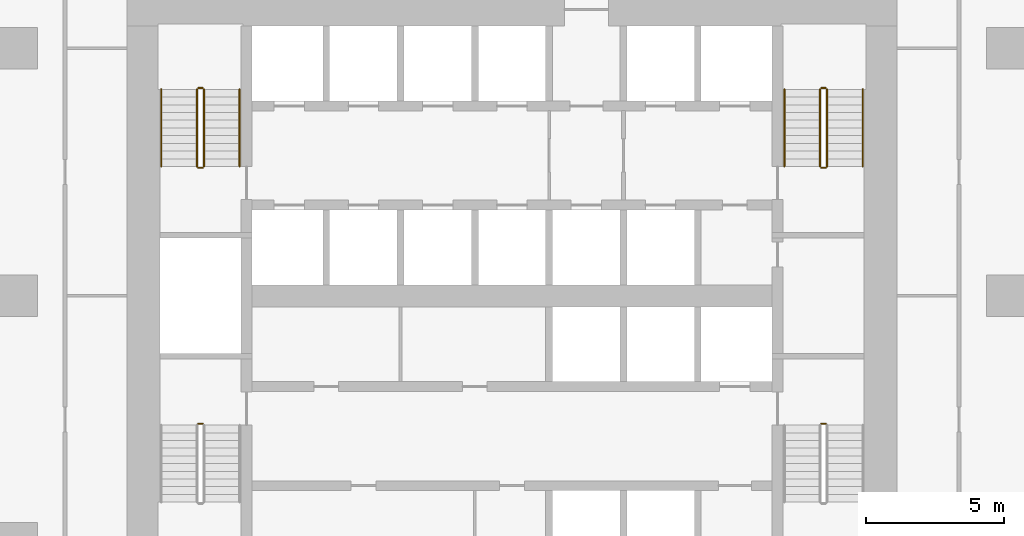
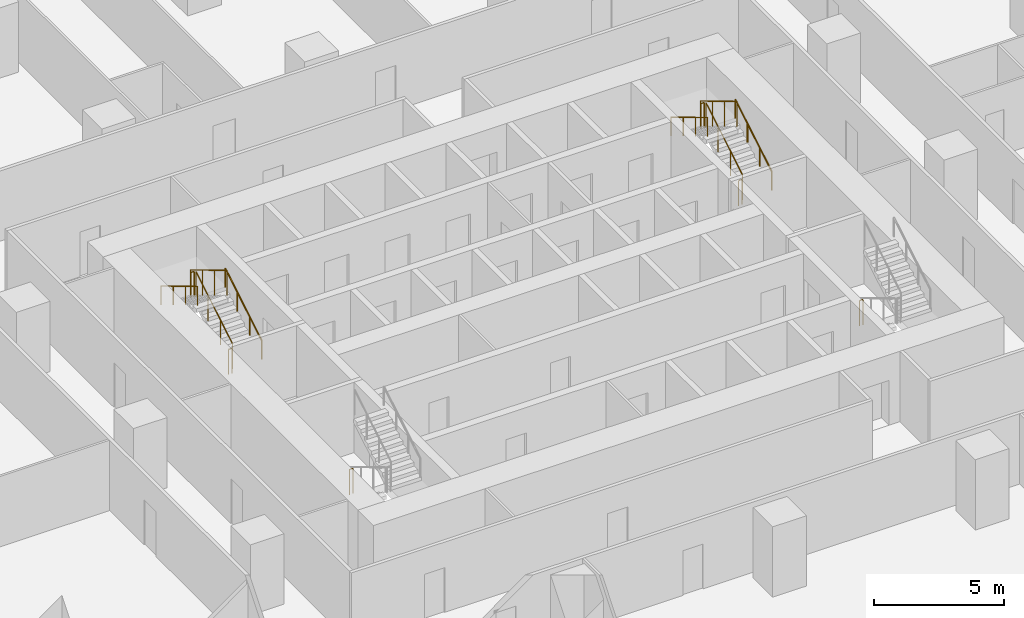
# One storey, part 23 of 24: 14 railings.
"""IFC4 building model written with IfcOpenShell, lengths in metres."""

from ifc_helpers import new_model, si_unit, direction, frame, origin, origin_2d, place, context, subcontext, project, spatial, circle, extrude, material, type_object, element, save


model = new_model("IFC4")

# Units and contexts
model_context = context("Model", 3, precision=1e-05, world=origin(), true_north=direction((0.0, 1.0)))
body_context = subcontext(model_context, "Body", "Model", "MODEL_VIEW")
ifc_project = project(units=[si_unit("LENGTHUNIT", "METRE"), si_unit("AREAUNIT", "SQUARE_METRE"), si_unit("VOLUMEUNIT", "CUBIC_METRE"), si_unit("PLANEANGLEUNIT", "RADIAN"), si_unit("MASSUNIT", "GRAM", prefix="KILO")], contexts=[model_context])

# Site, building, storey
site_placement = place(None, origin())
site = spatial("IfcSite", under=ifc_project, at=site_placement, CompositionType="ELEMENT")
building_placement = place(site_placement, origin())
building = spatial("IfcBuilding", under=site, at=building_placement, Name="Dongbaek Canopy Tower", CompositionType="ELEMENT")
storey_placement = place(building_placement, frame((0.0, 0.0, 51.39990234375)))
storey = spatial("IfcBuildingStorey", under=building, at=storey_placement, Name="L08", CompositionType="ELEMENT", Elevation=51.39990234375)

# Railings
ifc_material_1 = material(Name="Stainless steel tube and balusters", Category="steel")
railing_type_1 = type_object("IfcRailingType", Name="Stair guard 1200", PredefinedType="GUARDRAIL", material=ifc_material_1)
railing_1_placement = place(storey_placement, frame((11.449951171875, 4.699951171875, 0.168212890625)))
element("IfcRailing", 1, at=railing_1_placement, inside=storey, type_object=railing_type_1, Name="L08 ST-A stair guard 1", PredefinedType="GUARDRAIL", context=body_context, shape_type="SweptSolid", body=[
    extrude(circle(Radius=0.02392578125, at=origin_2d()), frame((0.0, 0.0, 1.17578125), z_axis=(0.0, 0.857242210791, 0.514913383045), x_axis=(-1.0, 0.0, 0.0)), (0.0, 0.0, 1.0), 3.266357421875),
    extrude(circle(Radius=0.02099609375, at=origin_2d()), origin(), (0.0, 0.0, 1.0), 1.15185546875),
    extrude(circle(Radius=0.02099609375, at=origin_2d()), frame((0.0, 0.933349609375, 0.560546875)), (0.0, 0.0, 1.0), 1.15185546875),
    extrude(circle(Radius=0.02099609375, at=origin_2d()), frame((0.0, 1.86669921875, 1.121337890625)), (0.0, 0.0, 1.0), 1.15185546875),
    extrude(circle(Radius=0.02099609375, at=origin_2d()), frame((0.0, 2.800048828125, 1.681884765625)), (0.0, 0.0, 1.0), 1.15185546875),
])
railing_2_placement = place(storey_placement, frame((11.39990234375, 7.550048828125, 1.85009765625)))
element("IfcRailing", 2, at=railing_2_placement, inside=storey, type_object=railing_type_1, Name="L08 ST-A stair guard 2", PredefinedType="GUARDRAIL", context=body_context, shape_type="SweptSolid", body=[
    extrude(circle(Radius=0.02392578125, at=origin_2d()), frame((0.0, 0.0, 1.17578125), z_axis=(-1.0, 0.0, 0.0), x_axis=(0.0, -1.0, 0.0)), (0.0, 0.0, 1.0), 0.14990234375),
    extrude(circle(Radius=0.02099609375, at=origin_2d()), origin(), (0.0, 0.0, 1.0), 1.15185546875),
    extrude(circle(Radius=0.02099609375, at=origin_2d()), frame((-0.14990234375, 0.0, 0.0)), (0.0, 0.0, 1.0), 1.15185546875),
])
railing_3_placement = place(storey_placement, frame((11.199951171875, 7.5, 2.018310546875)))
element("IfcRailing", 3, at=railing_3_placement, inside=storey, type_object=railing_type_1, Name="L08 ST-A stair guard 3", PredefinedType="GUARDRAIL", context=body_context, shape_type="SweptSolid", body=[
    extrude(circle(Radius=0.02392578125, at=origin_2d()), frame((0.0, 0.0, 1.17578125), z_axis=(0.0, -0.857242210791, 0.514913383045), x_axis=(1.0, 0.0, 0.0)), (0.0, 0.0, 1.0), 3.266357421875),
    extrude(circle(Radius=0.02099609375, at=origin_2d()), origin(), (0.0, 0.0, 1.0), 1.15185546875),
    extrude(circle(Radius=0.02099609375, at=origin_2d()), frame((0.0, -0.933349609375, 0.560546875)), (0.0, 0.0, 1.0), 1.15185546875),
    extrude(circle(Radius=0.02099609375, at=origin_2d()), frame((0.0, -1.86669921875, 1.121337890625)), (0.0, 0.0, 1.0), 1.15185546875),
    extrude(circle(Radius=0.02099609375, at=origin_2d()), frame((0.0, -2.800048828125, 1.681884765625)), (0.0, 0.0, 1.0), 1.15185546875),
])
railing_4_placement = place(storey_placement, frame((11.39990234375, 4.64990234375, 0.0)))
element("IfcRailing", 4, at=railing_4_placement, inside=storey, type_object=railing_type_1, Name="L08 ST-A stair guard 4", PredefinedType="GUARDRAIL", context=body_context, shape_type="SweptSolid", body=[
    extrude(circle(Radius=0.02392578125, at=origin_2d()), frame((0.0, 0.0, 1.17578125), z_axis=(-1.0, 0.0, 0.0), x_axis=(0.0, -1.0, 0.0)), (0.0, 0.0, 1.0), 0.14990234375),
    extrude(circle(Radius=0.02099609375, at=origin_2d()), origin(), (0.0, 0.0, 1.0), 1.15185546875),
    extrude(circle(Radius=0.02099609375, at=origin_2d()), frame((-0.14990234375, 0.0, 0.0)), (0.0, 0.0, 1.0), 1.15185546875),
])
railing_5_placement = place(storey_placement, frame((-11.199951171875, 4.699951171875, 0.168212890625)))
element("IfcRailing", 5, at=railing_5_placement, inside=storey, type_object=railing_type_1, Name="L08 ST-C stair guard 1", PredefinedType="GUARDRAIL", context=body_context, shape_type="SweptSolid", body=[
    extrude(circle(Radius=0.02392578125, at=origin_2d()), frame((0.0, 0.0, 1.17578125), z_axis=(0.0, 0.857242210791, 0.514913383045), x_axis=(-1.0, 0.0, 0.0)), (0.0, 0.0, 1.0), 3.266357421875),
    extrude(circle(Radius=0.02099609375, at=origin_2d()), origin(), (0.0, 0.0, 1.0), 1.15185546875),
    extrude(circle(Radius=0.02099609375, at=origin_2d()), frame((0.0, 0.933349609375, 0.560546875)), (0.0, 0.0, 1.0), 1.15185546875),
    extrude(circle(Radius=0.02099609375, at=origin_2d()), frame((0.0, 1.86669921875, 1.121337890625)), (0.0, 0.0, 1.0), 1.15185546875),
    extrude(circle(Radius=0.02099609375, at=origin_2d()), frame((0.0, 2.800048828125, 1.681884765625)), (0.0, 0.0, 1.0), 1.15185546875),
])
railing_6_placement = place(storey_placement, frame((-11.25, 7.550048828125, 1.85009765625)))
element("IfcRailing", 6, at=railing_6_placement, inside=storey, type_object=railing_type_1, Name="L08 ST-C stair guard 2", PredefinedType="GUARDRAIL", context=body_context, shape_type="SweptSolid", body=[
    extrude(circle(Radius=0.02392578125, at=origin_2d()), frame((0.0, 0.0, 1.17578125), z_axis=(-1.0, 0.0, 0.0), x_axis=(0.0, -1.0, 0.0)), (0.0, 0.0, 1.0), 0.14990234375),
    extrude(circle(Radius=0.02099609375, at=origin_2d()), origin(), (0.0, 0.0, 1.0), 1.15185546875),
    extrude(circle(Radius=0.02099609375, at=origin_2d()), frame((-0.14990234375, 0.0, 0.0)), (0.0, 0.0, 1.0), 1.15185546875),
])
railing_7_placement = place(storey_placement, frame((-11.449951171875, 7.5, 2.018310546875)))
element("IfcRailing", 7, at=railing_7_placement, inside=storey, type_object=railing_type_1, Name="L08 ST-C stair guard 3", PredefinedType="GUARDRAIL", context=body_context, shape_type="SweptSolid", body=[
    extrude(circle(Radius=0.02392578125, at=origin_2d()), frame((0.0, 0.0, 1.17578125), z_axis=(0.0, -0.857242210791, 0.514913383045), x_axis=(1.0, 0.0, 0.0)), (0.0, 0.0, 1.0), 3.266357421875),
    extrude(circle(Radius=0.02099609375, at=origin_2d()), origin(), (0.0, 0.0, 1.0), 1.15185546875),
    extrude(circle(Radius=0.02099609375, at=origin_2d()), frame((0.0, -0.933349609375, 0.560546875)), (0.0, 0.0, 1.0), 1.15185546875),
    extrude(circle(Radius=0.02099609375, at=origin_2d()), frame((0.0, -1.86669921875, 1.121337890625)), (0.0, 0.0, 1.0), 1.15185546875),
    extrude(circle(Radius=0.02099609375, at=origin_2d()), frame((0.0, -2.800048828125, 1.681884765625)), (0.0, 0.0, 1.0), 1.15185546875),
])
railing_8_placement = place(storey_placement, frame((-11.25, 4.64990234375, 0.0)))
element("IfcRailing", 8, at=railing_8_placement, inside=storey, type_object=railing_type_1, Name="L08 ST-C stair guard 4", PredefinedType="GUARDRAIL", context=body_context, shape_type="SweptSolid", body=[
    extrude(circle(Radius=0.02392578125, at=origin_2d()), frame((0.0, 0.0, 1.17578125), z_axis=(-1.0, 0.0, 0.0), x_axis=(0.0, -1.0, 0.0)), (0.0, 0.0, 1.0), 0.14990234375),
    extrude(circle(Radius=0.02099609375, at=origin_2d()), origin(), (0.0, 0.0, 1.0), 1.15185546875),
    extrude(circle(Radius=0.02099609375, at=origin_2d()), frame((-0.14990234375, 0.0, 0.0)), (0.0, 0.0, 1.0), 1.15185546875),
])
for number, where, name in (
    (9, (11.25, -4.64990234375, 0.0), "L08 ST-B stair guard 4"),
    (10, (-11.39990234375, -4.64990234375, 0.0), "L08 ST-D stair guard 4"),
):
    element("IfcRailing", number, at=place(storey_placement, frame(where)), inside=storey, type_object=railing_type_1, Name=name, PredefinedType="GUARDRAIL", context=body_context, shape_type="SweptSolid", body=[
        extrude(circle(Radius=0.02392578125, at=origin_2d()), frame((0.0, 0.0, 1.17578125), z_axis=(1.0, 0.0, 0.0), x_axis=(0.0, 1.0, 0.0)), (0.0, 0.0, 1.0), 0.14990234375),
        extrude(circle(Radius=0.02099609375, at=origin_2d()), origin(), (0.0, 0.0, 1.0), 1.15185546875),
        extrude(circle(Radius=0.02099609375, at=origin_2d()), frame((0.14990234375, 0.0, 0.0)), (0.0, 0.0, 1.0), 1.15185546875),
    ])
ifc_material_2 = material(Name="Stainless steel tube", Category="steel")
railing_type_2 = type_object("IfcRailingType", Name="Stair handrail 900", PredefinedType="HANDRAIL", material=ifc_material_2)
railing_9_placement = place(storey_placement, frame((12.75, 4.699951171875, 0.168212890625)))
element("IfcRailing", 11, at=railing_9_placement, inside=storey, type_object=railing_type_2, Name="L08 ST-A stair handrail 1", PredefinedType="HANDRAIL", context=body_context, shape_type="SweptSolid", body=[
    extrude(circle(Radius=0.02392578125, at=origin_2d()), frame((0.0, 0.0, 0.8759765625), z_axis=(0.0, 0.857242210791, 0.514913383045), x_axis=(-1.0, 0.0, 0.0)), (0.0, 0.0, 1.0), 3.266357421875),
    extrude(circle(Radius=0.02099609375, at=origin_2d()), origin(), (0.0, 0.0, 1.0), 0.851806640625),
    extrude(circle(Radius=0.02099609375, at=origin_2d()), frame((0.0, 0.933349609375, 0.560546875)), (0.0, 0.0, 1.0), 0.851806640625),
    extrude(circle(Radius=0.02099609375, at=origin_2d()), frame((0.0, 1.86669921875, 1.121337890625)), (0.0, 0.0, 1.0), 0.851806640625),
    extrude(circle(Radius=0.02099609375, at=origin_2d()), frame((0.0, 2.800048828125, 1.681884765625)), (0.0, 0.0, 1.0), 0.851806640625),
])
railing_10_placement = place(storey_placement, frame((9.89990234375, 7.5, 2.018310546875)))
element("IfcRailing", 12, at=railing_10_placement, inside=storey, type_object=railing_type_2, Name="L08 ST-A stair handrail 2", PredefinedType="HANDRAIL", context=body_context, shape_type="SweptSolid", body=[
    extrude(circle(Radius=0.02392578125, at=origin_2d()), frame((0.0, 0.0, 0.8759765625), z_axis=(0.0, -0.857242210791, 0.514913383045), x_axis=(1.0, 0.0, 0.0)), (0.0, 0.0, 1.0), 3.266357421875),
    extrude(circle(Radius=0.02099609375, at=origin_2d()), origin(), (0.0, 0.0, 1.0), 0.851806640625),
    extrude(circle(Radius=0.02099609375, at=origin_2d()), frame((0.0, -0.933349609375, 0.560546875)), (0.0, 0.0, 1.0), 0.851806640625),
    extrude(circle(Radius=0.02099609375, at=origin_2d()), frame((0.0, -1.86669921875, 1.121337890625)), (0.0, 0.0, 1.0), 0.851806640625),
    extrude(circle(Radius=0.02099609375, at=origin_2d()), frame((0.0, -2.800048828125, 1.681884765625)), (0.0, 0.0, 1.0), 0.851806640625),
])
railing_11_placement = place(storey_placement, frame((-9.89990234375, 4.699951171875, 0.168212890625)))
element("IfcRailing", 13, at=railing_11_placement, inside=storey, type_object=railing_type_2, Name="L08 ST-C stair handrail 1", PredefinedType="HANDRAIL", context=body_context, shape_type="SweptSolid", body=[
    extrude(circle(Radius=0.02392578125, at=origin_2d()), frame((0.0, 0.0, 0.8759765625), z_axis=(0.0, 0.857242210791, 0.514913383045), x_axis=(-1.0, 0.0, 0.0)), (0.0, 0.0, 1.0), 3.266357421875),
    extrude(circle(Radius=0.02099609375, at=origin_2d()), origin(), (0.0, 0.0, 1.0), 0.851806640625),
    extrude(circle(Radius=0.02099609375, at=origin_2d()), frame((0.0, 0.933349609375, 0.560546875)), (0.0, 0.0, 1.0), 0.851806640625),
    extrude(circle(Radius=0.02099609375, at=origin_2d()), frame((0.0, 1.86669921875, 1.121337890625)), (0.0, 0.0, 1.0), 0.851806640625),
    extrude(circle(Radius=0.02099609375, at=origin_2d()), frame((0.0, 2.800048828125, 1.681884765625)), (0.0, 0.0, 1.0), 0.851806640625),
])
railing_12_placement = place(storey_placement, frame((-12.75, 7.5, 2.018310546875)))
element("IfcRailing", 14, at=railing_12_placement, inside=storey, type_object=railing_type_2, Name="L08 ST-C stair handrail 2", PredefinedType="HANDRAIL", context=body_context, shape_type="SweptSolid", body=[
    extrude(circle(Radius=0.02392578125, at=origin_2d()), frame((0.0, 0.0, 0.8759765625), z_axis=(0.0, -0.857242210791, 0.514913383045), x_axis=(1.0, 0.0, 0.0)), (0.0, 0.0, 1.0), 3.266357421875),
    extrude(circle(Radius=0.02099609375, at=origin_2d()), origin(), (0.0, 0.0, 1.0), 0.851806640625),
    extrude(circle(Radius=0.02099609375, at=origin_2d()), frame((0.0, -0.933349609375, 0.560546875)), (0.0, 0.0, 1.0), 0.851806640625),
    extrude(circle(Radius=0.02099609375, at=origin_2d()), frame((0.0, -1.86669921875, 1.121337890625)), (0.0, 0.0, 1.0), 0.851806640625),
    extrude(circle(Radius=0.02099609375, at=origin_2d()), frame((0.0, -2.800048828125, 1.681884765625)), (0.0, 0.0, 1.0), 0.851806640625),
])

save(model, "model.ifc")
